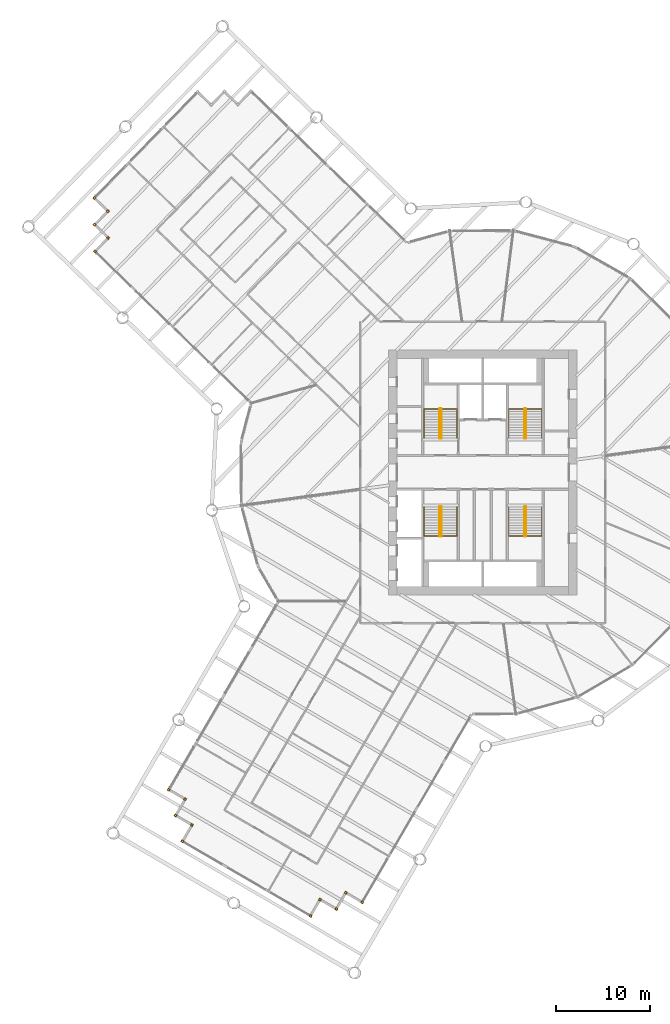
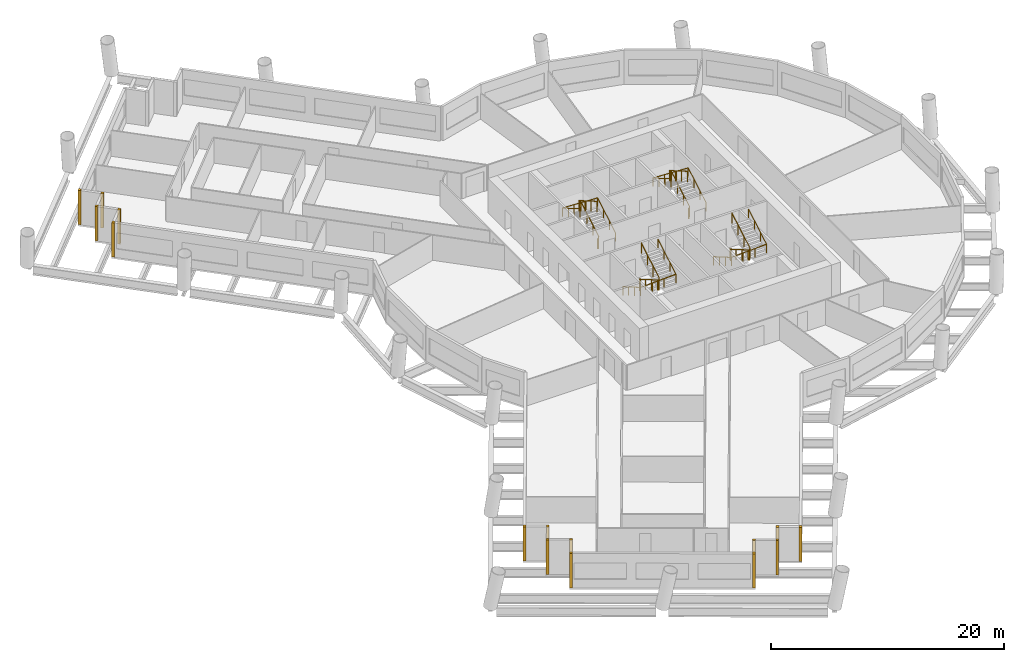
# One storey, part 11 of 12: 15 shading devices, 8 railings.
"""IFC4 building model written with IfcOpenShell, lengths in metres."""

from ifc_helpers import new_model, si_unit, direction, frame, origin, origin_2d, place, context, subcontext, project, spatial, rectangle, circle, extrude, material, type_object, element, save


model = new_model("IFC4")

# Units and contexts
model_context = context("Model", 3, precision=1e-05, world=origin(), true_north=direction((0.0, 1.0)))
body_context = subcontext(model_context, "Body", "Model", "MODEL_VIEW")
ifc_project = project(units=[si_unit("LENGTHUNIT", "METRE"), si_unit("AREAUNIT", "SQUARE_METRE"), si_unit("VOLUMEUNIT", "CUBIC_METRE"), si_unit("PLANEANGLEUNIT", "RADIAN"), si_unit("MASSUNIT", "GRAM", prefix="KILO")], contexts=[model_context])

# Site, building, storey
site_placement = place(None, origin())
site = spatial("IfcSite", under=ifc_project, at=site_placement, CompositionType="ELEMENT")
building_placement = place(site_placement, origin())
building = spatial("IfcBuilding", under=site, at=building_placement, Name="Tarsis Ring Headquarters", CompositionType="ELEMENT")
storey_placement = place(building_placement, frame((0.0, 0.0, 82.89990234375)))
storey = spatial("IfcBuildingStorey", under=building, at=storey_placement, Name="L18", CompositionType="ELEMENT", Elevation=82.89990234375)

# Railings
ifc_material_1 = material(Name="Steel S355", Category="steel")
railing_type_1 = type_object("IfcRailingType", Name="Core stair guard 1100", PredefinedType="GUARDRAIL", material=ifc_material_1)
railing_1_placement = place(storey_placement, frame((-4.5400390625, 3.610107421875, 0.0)))
element("IfcRailing", 1, at=railing_1_placement, inside=storey, type_object=railing_type_1, Name="L18 ST1 stair guard 1", PredefinedType="GUARDRAIL", context=body_context, shape_type="SweptSolid", body=[
    extrude(circle(Radius=0.02392578125, at=origin_2d()), frame((0.0, 0.0, 1.076171875), z_axis=(1.0, 0.0, 0.0), x_axis=(0.0, 1.0, 0.0)), (0.0, 0.0, 1.0), 0.080078125),
    extrude(circle(Radius=0.02392578125, at=origin_2d()), frame((0.080078125, 0.0, 1.076171875), z_axis=(0.282336740067, 0.280959487676, 0.917250092119), x_axis=(-0.705375805398, 0.708833529934, 0.0)), (0.0, 0.0, 1.0), 0.17724609375),
    extrude(circle(Radius=0.02392578125, at=origin_2d()), frame((0.130126953125, 0.0498046875, 1.23876953125), z_axis=(0.0, 0.864890721111, 0.501960198159), x_axis=(-1.0, 0.0, 0.0)), (0.0, 0.0, 1.0), 3.561279296875),
    extrude(circle(Radius=0.02392578125, at=origin_2d()), frame((0.130126953125, 3.1298828125, 3.0263671875), z_axis=(-0.707106781187, 0.707106781187, 0.0), x_axis=(-0.707106781187, -0.707106781187, 0.0)), (0.0, 0.0, 1.0), 0.07080078125),
    extrude(circle(Radius=0.02392578125, at=origin_2d()), frame((0.080078125, 3.179931640625, 3.0263671875), z_axis=(-1.0, 0.0, 0.0), x_axis=(0.0, -1.0, 0.0)), (0.0, 0.0, 1.0), 0.080078125),
    extrude(circle(Radius=0.02392578125, at=origin_2d()), frame((0.0, 3.179931640625, 3.0263671875), z_axis=(-0.282583949758, -0.282583949758, 0.916674763849), x_axis=(0.707106781187, -0.707106781187, 0.0)), (0.0, 0.0, 1.0), 0.177001953125),
    extrude(circle(Radius=0.02392578125, at=origin_2d()), frame((-0.050048828125, 3.1298828125, 3.1884765625), z_axis=(0.0, -0.864890721111, 0.501960198159), x_axis=(1.0, 0.0, 0.0)), (0.0, 0.0, 1.0), 3.561279296875),
    extrude(circle(Radius=0.02099609375, at=origin_2d()), origin(), (0.0, 0.0, 1.0), 1.052001953125),
    extrude(circle(Radius=0.02099609375, at=origin_2d()), frame((0.080078125, 0.0, 0.0)), (0.0, 0.0, 1.0), 1.052001953125),
    extrude(circle(Radius=0.02099609375, at=origin_2d()), frame((0.130126953125, 0.0498046875, 0.16259765625)), (0.0, 0.0, 1.0), 1.052001953125),
    extrude(circle(Radius=0.02099609375, at=origin_2d()), frame((0.130126953125, 1.076416015625, 0.758544921875)), (0.0, 0.0, 1.0), 1.052001953125),
    extrude(circle(Radius=0.02099609375, at=origin_2d()), frame((0.130126953125, 2.103271484375, 1.354248046875)), (0.0, 0.0, 1.0), 1.052001953125),
    extrude(circle(Radius=0.02099609375, at=origin_2d()), frame((0.130126953125, 3.1298828125, 1.9501953125)), (0.0, 0.0, 1.0), 1.052001953125),
    extrude(circle(Radius=0.02099609375, at=origin_2d()), frame((0.080078125, 3.179931640625, 1.9501953125)), (0.0, 0.0, 1.0), 1.052001953125),
    extrude(circle(Radius=0.02099609375, at=origin_2d()), frame((0.0, 3.179931640625, 1.9501953125)), (0.0, 0.0, 1.0), 1.052001953125),
    extrude(circle(Radius=0.02099609375, at=origin_2d()), frame((-0.050048828125, 3.1298828125, 2.112548828125)), (0.0, 0.0, 1.0), 1.052001953125),
    extrude(circle(Radius=0.02099609375, at=origin_2d()), frame((-0.050048828125, 2.103271484375, 2.70849609375)), (0.0, 0.0, 1.0), 1.052001953125),
    extrude(circle(Radius=0.02099609375, at=origin_2d()), frame((-0.050048828125, 1.076416015625, 3.30419921875)), (0.0, 0.0, 1.0), 1.052001953125),
    extrude(circle(Radius=0.02099609375, at=origin_2d()), frame((-0.050048828125, 0.0498046875, 3.900146484375)), (0.0, 0.0, 1.0), 1.052001953125),
])
railing_2_placement = place(storey_placement, frame((4.4599609375, 3.610107421875, 0.0)))
element("IfcRailing", 2, at=railing_2_placement, inside=storey, type_object=railing_type_1, Name="L18 ST2 stair guard 1", PredefinedType="GUARDRAIL", context=body_context, shape_type="SweptSolid", body=[
    extrude(circle(Radius=0.02392578125, at=origin_2d()), frame((0.0, 0.0, 1.076171875), z_axis=(1.0, 0.0, 0.0), x_axis=(0.0, 1.0, 0.0)), (0.0, 0.0, 1.0), 0.080078125),
    extrude(circle(Radius=0.02392578125, at=origin_2d()), frame((0.080078125, 0.0, 1.076171875), z_axis=(0.282336740067, 0.280959487676, 0.917250092119), x_axis=(-0.705375805398, 0.708833529934, 0.0)), (0.0, 0.0, 1.0), 0.17724609375),
    extrude(circle(Radius=0.02392578125, at=origin_2d()), frame((0.130126953125, 0.0498046875, 1.23876953125), z_axis=(0.0, 0.864890721111, 0.501960198159), x_axis=(-1.0, 0.0, 0.0)), (0.0, 0.0, 1.0), 3.561279296875),
    extrude(circle(Radius=0.02392578125, at=origin_2d()), frame((0.130126953125, 3.1298828125, 3.0263671875), z_axis=(-0.707106781187, 0.707106781187, 0.0), x_axis=(-0.707106781187, -0.707106781187, 0.0)), (0.0, 0.0, 1.0), 0.07080078125),
    extrude(circle(Radius=0.02392578125, at=origin_2d()), frame((0.080078125, 3.179931640625, 3.0263671875), z_axis=(-1.0, 0.0, 0.0), x_axis=(0.0, -1.0, 0.0)), (0.0, 0.0, 1.0), 0.080078125),
    extrude(circle(Radius=0.02392578125, at=origin_2d()), frame((0.0, 3.179931640625, 3.0263671875), z_axis=(-0.282583949758, -0.282583949758, 0.916674763849), x_axis=(0.707106781187, -0.707106781187, 0.0)), (0.0, 0.0, 1.0), 0.177001953125),
    extrude(circle(Radius=0.02392578125, at=origin_2d()), frame((-0.050048828125, 3.1298828125, 3.1884765625), z_axis=(0.0, -0.864890721111, 0.501960198159), x_axis=(1.0, 0.0, 0.0)), (0.0, 0.0, 1.0), 3.561279296875),
    extrude(circle(Radius=0.02099609375, at=origin_2d()), origin(), (0.0, 0.0, 1.0), 1.052001953125),
    extrude(circle(Radius=0.02099609375, at=origin_2d()), frame((0.080078125, 0.0, 0.0)), (0.0, 0.0, 1.0), 1.052001953125),
    extrude(circle(Radius=0.02099609375, at=origin_2d()), frame((0.130126953125, 0.0498046875, 0.16259765625)), (0.0, 0.0, 1.0), 1.052001953125),
    extrude(circle(Radius=0.02099609375, at=origin_2d()), frame((0.130126953125, 1.076416015625, 0.758544921875)), (0.0, 0.0, 1.0), 1.052001953125),
    extrude(circle(Radius=0.02099609375, at=origin_2d()), frame((0.130126953125, 2.103271484375, 1.354248046875)), (0.0, 0.0, 1.0), 1.052001953125),
    extrude(circle(Radius=0.02099609375, at=origin_2d()), frame((0.130126953125, 3.1298828125, 1.9501953125)), (0.0, 0.0, 1.0), 1.052001953125),
    extrude(circle(Radius=0.02099609375, at=origin_2d()), frame((0.080078125, 3.179931640625, 1.9501953125)), (0.0, 0.0, 1.0), 1.052001953125),
    extrude(circle(Radius=0.02099609375, at=origin_2d()), frame((0.0, 3.179931640625, 1.9501953125)), (0.0, 0.0, 1.0), 1.052001953125),
    extrude(circle(Radius=0.02099609375, at=origin_2d()), frame((-0.050048828125, 3.1298828125, 2.112548828125)), (0.0, 0.0, 1.0), 1.052001953125),
    extrude(circle(Radius=0.02099609375, at=origin_2d()), frame((-0.050048828125, 2.103271484375, 2.70849609375)), (0.0, 0.0, 1.0), 1.052001953125),
    extrude(circle(Radius=0.02099609375, at=origin_2d()), frame((-0.050048828125, 1.076416015625, 3.30419921875)), (0.0, 0.0, 1.0), 1.052001953125),
    extrude(circle(Radius=0.02099609375, at=origin_2d()), frame((-0.050048828125, 0.0498046875, 3.900146484375)), (0.0, 0.0, 1.0), 1.052001953125),
])
railing_3_placement = place(storey_placement, frame((-4.4599609375, -3.610107421875, 0.0)))
element("IfcRailing", 3, at=railing_3_placement, inside=storey, type_object=railing_type_1, Name="L18 ST3 stair guard 1", PredefinedType="GUARDRAIL", context=body_context, shape_type="SweptSolid", body=[
    extrude(circle(Radius=0.02392578125, at=origin_2d()), frame((0.0, 0.0, 1.076171875), z_axis=(-1.0, 0.0, 0.0), x_axis=(0.0, -1.0, 0.0)), (0.0, 0.0, 1.0), 0.080078125),
    extrude(circle(Radius=0.02392578125, at=origin_2d()), frame((-0.080078125, 0.0, 1.076171875), z_axis=(-0.282336740067, -0.280959487676, 0.917250092119), x_axis=(0.705375805398, -0.708833529934, 0.0)), (0.0, 0.0, 1.0), 0.17724609375),
    extrude(circle(Radius=0.02392578125, at=origin_2d()), frame((-0.130126953125, -0.0498046875, 1.23876953125), z_axis=(0.0, -0.864890721111, 0.501960198159), x_axis=(1.0, 0.0, 0.0)), (0.0, 0.0, 1.0), 3.561279296875),
    extrude(circle(Radius=0.02392578125, at=origin_2d()), frame((-0.130126953125, -3.1298828125, 3.0263671875), z_axis=(0.707106781187, -0.707106781187, 0.0), x_axis=(0.707106781187, 0.707106781187, 0.0)), (0.0, 0.0, 1.0), 0.07080078125),
    extrude(circle(Radius=0.02392578125, at=origin_2d()), frame((-0.080078125, -3.179931640625, 3.0263671875), z_axis=(1.0, 0.0, 0.0), x_axis=(0.0, 1.0, 0.0)), (0.0, 0.0, 1.0), 0.080078125),
    extrude(circle(Radius=0.02392578125, at=origin_2d()), frame((0.0, -3.179931640625, 3.0263671875), z_axis=(0.282583949758, 0.282583949758, 0.916674763849), x_axis=(-0.707106781187, 0.707106781187, 0.0)), (0.0, 0.0, 1.0), 0.177001953125),
    extrude(circle(Radius=0.02392578125, at=origin_2d()), frame((0.050048828125, -3.1298828125, 3.1884765625), z_axis=(0.0, 0.864890721111, 0.501960198159), x_axis=(-1.0, 0.0, 0.0)), (0.0, 0.0, 1.0), 3.561279296875),
    extrude(circle(Radius=0.02099609375, at=origin_2d()), origin(), (0.0, 0.0, 1.0), 1.052001953125),
    extrude(circle(Radius=0.02099609375, at=origin_2d()), frame((-0.080078125, 0.0, 0.0)), (0.0, 0.0, 1.0), 1.052001953125),
    extrude(circle(Radius=0.02099609375, at=origin_2d()), frame((-0.130126953125, -0.0498046875, 0.16259765625)), (0.0, 0.0, 1.0), 1.052001953125),
    extrude(circle(Radius=0.02099609375, at=origin_2d()), frame((-0.130126953125, -1.076416015625, 0.758544921875)), (0.0, 0.0, 1.0), 1.052001953125),
    extrude(circle(Radius=0.02099609375, at=origin_2d()), frame((-0.130126953125, -2.103271484375, 1.354248046875)), (0.0, 0.0, 1.0), 1.052001953125),
    extrude(circle(Radius=0.02099609375, at=origin_2d()), frame((-0.130126953125, -3.1298828125, 1.9501953125)), (0.0, 0.0, 1.0), 1.052001953125),
    extrude(circle(Radius=0.02099609375, at=origin_2d()), frame((-0.080078125, -3.179931640625, 1.9501953125)), (0.0, 0.0, 1.0), 1.052001953125),
    extrude(circle(Radius=0.02099609375, at=origin_2d()), frame((0.0, -3.179931640625, 1.9501953125)), (0.0, 0.0, 1.0), 1.052001953125),
    extrude(circle(Radius=0.02099609375, at=origin_2d()), frame((0.050048828125, -3.1298828125, 2.112548828125)), (0.0, 0.0, 1.0), 1.052001953125),
    extrude(circle(Radius=0.02099609375, at=origin_2d()), frame((0.050048828125, -2.103271484375, 2.70849609375)), (0.0, 0.0, 1.0), 1.052001953125),
    extrude(circle(Radius=0.02099609375, at=origin_2d()), frame((0.050048828125, -1.076416015625, 3.30419921875)), (0.0, 0.0, 1.0), 1.052001953125),
    extrude(circle(Radius=0.02099609375, at=origin_2d()), frame((0.050048828125, -0.0498046875, 3.900146484375)), (0.0, 0.0, 1.0), 1.052001953125),
])
railing_4_placement = place(storey_placement, frame((4.5400390625, -3.610107421875, 0.0)))
element("IfcRailing", 4, at=railing_4_placement, inside=storey, type_object=railing_type_1, Name="L18 ST4 stair guard 1", PredefinedType="GUARDRAIL", context=body_context, shape_type="SweptSolid", body=[
    extrude(circle(Radius=0.02392578125, at=origin_2d()), frame((0.0, 0.0, 1.076171875), z_axis=(-1.0, 0.0, 0.0), x_axis=(0.0, -1.0, 0.0)), (0.0, 0.0, 1.0), 0.080078125),
    extrude(circle(Radius=0.02392578125, at=origin_2d()), frame((-0.080078125, 0.0, 1.076171875), z_axis=(-0.282336740067, -0.280959487676, 0.917250092119), x_axis=(0.705375805398, -0.708833529934, 0.0)), (0.0, 0.0, 1.0), 0.17724609375),
    extrude(circle(Radius=0.02392578125, at=origin_2d()), frame((-0.130126953125, -0.0498046875, 1.23876953125), z_axis=(0.0, -0.864890721111, 0.501960198159), x_axis=(1.0, 0.0, 0.0)), (0.0, 0.0, 1.0), 3.561279296875),
    extrude(circle(Radius=0.02392578125, at=origin_2d()), frame((-0.130126953125, -3.1298828125, 3.0263671875), z_axis=(0.707106781187, -0.707106781187, 0.0), x_axis=(0.707106781187, 0.707106781187, 0.0)), (0.0, 0.0, 1.0), 0.07080078125),
    extrude(circle(Radius=0.02392578125, at=origin_2d()), frame((-0.080078125, -3.179931640625, 3.0263671875), z_axis=(1.0, 0.0, 0.0), x_axis=(0.0, 1.0, 0.0)), (0.0, 0.0, 1.0), 0.080078125),
    extrude(circle(Radius=0.02392578125, at=origin_2d()), frame((0.0, -3.179931640625, 3.0263671875), z_axis=(0.282583949758, 0.282583949758, 0.916674763849), x_axis=(-0.707106781187, 0.707106781187, 0.0)), (0.0, 0.0, 1.0), 0.177001953125),
    extrude(circle(Radius=0.02392578125, at=origin_2d()), frame((0.050048828125, -3.1298828125, 3.1884765625), z_axis=(0.0, 0.864890721111, 0.501960198159), x_axis=(-1.0, 0.0, 0.0)), (0.0, 0.0, 1.0), 3.561279296875),
    extrude(circle(Radius=0.02099609375, at=origin_2d()), origin(), (0.0, 0.0, 1.0), 1.052001953125),
    extrude(circle(Radius=0.02099609375, at=origin_2d()), frame((-0.080078125, 0.0, 0.0)), (0.0, 0.0, 1.0), 1.052001953125),
    extrude(circle(Radius=0.02099609375, at=origin_2d()), frame((-0.130126953125, -0.0498046875, 0.16259765625)), (0.0, 0.0, 1.0), 1.052001953125),
    extrude(circle(Radius=0.02099609375, at=origin_2d()), frame((-0.130126953125, -1.076416015625, 0.758544921875)), (0.0, 0.0, 1.0), 1.052001953125),
    extrude(circle(Radius=0.02099609375, at=origin_2d()), frame((-0.130126953125, -2.103271484375, 1.354248046875)), (0.0, 0.0, 1.0), 1.052001953125),
    extrude(circle(Radius=0.02099609375, at=origin_2d()), frame((-0.130126953125, -3.1298828125, 1.9501953125)), (0.0, 0.0, 1.0), 1.052001953125),
    extrude(circle(Radius=0.02099609375, at=origin_2d()), frame((-0.080078125, -3.179931640625, 1.9501953125)), (0.0, 0.0, 1.0), 1.052001953125),
    extrude(circle(Radius=0.02099609375, at=origin_2d()), frame((0.0, -3.179931640625, 1.9501953125)), (0.0, 0.0, 1.0), 1.052001953125),
    extrude(circle(Radius=0.02099609375, at=origin_2d()), frame((0.050048828125, -3.1298828125, 2.112548828125)), (0.0, 0.0, 1.0), 1.052001953125),
    extrude(circle(Radius=0.02099609375, at=origin_2d()), frame((0.050048828125, -2.103271484375, 2.70849609375)), (0.0, 0.0, 1.0), 1.052001953125),
    extrude(circle(Radius=0.02099609375, at=origin_2d()), frame((0.050048828125, -1.076416015625, 3.30419921875)), (0.0, 0.0, 1.0), 1.052001953125),
    extrude(circle(Radius=0.02099609375, at=origin_2d()), frame((0.050048828125, -0.0498046875, 3.900146484375)), (0.0, 0.0, 1.0), 1.052001953125),
])
railing_type_2 = type_object("IfcRailingType", Name="Core stair handrail 900", PredefinedType="HANDRAIL", material=ifc_material_1)
railing_5_placement = place(storey_placement, frame((-2.75, 3.659912109375, 0.16259765625)))
element("IfcRailing", 5, at=railing_5_placement, inside=storey, type_object=railing_type_2, Name="L18 ST1 stair handrail 1", PredefinedType="HANDRAIL", context=body_context, shape_type="SweptSolid", body=[
    extrude(circle(Radius=0.02392578125, at=origin_2d()), frame((0.0, 0.0, 0.8759765625), z_axis=(0.0, 0.864890721111, 0.501960198159), x_axis=(-1.0, 0.0, 0.0)), (0.0, 0.0, 1.0), 3.561279296875),
    extrude(circle(Radius=0.02392578125, at=origin_2d()), frame((0.0, 3.080078125, 2.66357421875), z_axis=(-0.998925869279, 0.0, 0.04633689335), x_axis=(0.0, -1.0, 0.0)), (0.0, 0.0, 1.0), 3.503662109375),
    extrude(circle(Radius=0.02392578125, at=origin_2d()), frame((-3.5, 3.080078125, 2.82568359375), z_axis=(0.0, -0.864890721111, 0.501960198159), x_axis=(1.0, 0.0, 0.0)), (0.0, 0.0, 1.0), 3.561279296875),
    extrude(circle(Radius=0.02099609375, at=origin_2d()), origin(), (0.0, 0.0, 1.0), 0.851806640625),
    extrude(circle(Radius=0.02099609375, at=origin_2d()), frame((0.0, 1.026611328125, 0.595947265625)), (0.0, 0.0, 1.0), 0.851806640625),
    extrude(circle(Radius=0.02099609375, at=origin_2d()), frame((0.0, 2.053466796875, 1.191650390625)), (0.0, 0.0, 1.0), 0.851806640625),
    extrude(circle(Radius=0.02099609375, at=origin_2d()), frame((0.0, 3.080078125, 1.78759765625)), (0.0, 0.0, 1.0), 0.851806640625),
    extrude(circle(Radius=0.02099609375, at=origin_2d()), frame((-1.166748046875, 3.080078125, 1.841796875)), (0.0, 0.0, 1.0), 0.851806640625),
    extrude(circle(Radius=0.02099609375, at=origin_2d()), frame((-2.333251953125, 3.080078125, 1.895751953125)), (0.0, 0.0, 1.0), 0.851806640625),
    extrude(circle(Radius=0.02099609375, at=origin_2d()), frame((-3.5, 3.080078125, 1.949951171875)), (0.0, 0.0, 1.0), 0.851806640625),
    extrude(circle(Radius=0.02099609375, at=origin_2d()), frame((-3.5, 2.053466796875, 2.5458984375)), (0.0, 0.0, 1.0), 0.851806640625),
    extrude(circle(Radius=0.02099609375, at=origin_2d()), frame((-3.5, 1.026611328125, 3.1416015625)), (0.0, 0.0, 1.0), 0.851806640625),
    extrude(circle(Radius=0.02099609375, at=origin_2d()), frame((-3.5, 0.0, 3.737548828125)), (0.0, 0.0, 1.0), 0.851806640625),
])
railing_6_placement = place(storey_placement, frame((6.25, 3.659912109375, 0.16259765625)))
element("IfcRailing", 6, at=railing_6_placement, inside=storey, type_object=railing_type_2, Name="L18 ST2 stair handrail 1", PredefinedType="HANDRAIL", context=body_context, shape_type="SweptSolid", body=[
    extrude(circle(Radius=0.02392578125, at=origin_2d()), frame((0.0, 0.0, 0.8759765625), z_axis=(0.0, 0.864890721111, 0.501960198159), x_axis=(-1.0, 0.0, 0.0)), (0.0, 0.0, 1.0), 3.561279296875),
    extrude(circle(Radius=0.02392578125, at=origin_2d()), frame((0.0, 3.080078125, 2.66357421875), z_axis=(-0.998925869279, 0.0, 0.04633689335), x_axis=(0.0, -1.0, 0.0)), (0.0, 0.0, 1.0), 3.503662109375),
    extrude(circle(Radius=0.02392578125, at=origin_2d()), frame((-3.5, 3.080078125, 2.82568359375), z_axis=(0.0, -0.864890721111, 0.501960198159), x_axis=(1.0, 0.0, 0.0)), (0.0, 0.0, 1.0), 3.561279296875),
    extrude(circle(Radius=0.02099609375, at=origin_2d()), origin(), (0.0, 0.0, 1.0), 0.851806640625),
    extrude(circle(Radius=0.02099609375, at=origin_2d()), frame((0.0, 1.026611328125, 0.595947265625)), (0.0, 0.0, 1.0), 0.851806640625),
    extrude(circle(Radius=0.02099609375, at=origin_2d()), frame((0.0, 2.053466796875, 1.191650390625)), (0.0, 0.0, 1.0), 0.851806640625),
    extrude(circle(Radius=0.02099609375, at=origin_2d()), frame((0.0, 3.080078125, 1.78759765625)), (0.0, 0.0, 1.0), 0.851806640625),
    extrude(circle(Radius=0.02099609375, at=origin_2d()), frame((-1.166748046875, 3.080078125, 1.841796875)), (0.0, 0.0, 1.0), 0.851806640625),
    extrude(circle(Radius=0.02099609375, at=origin_2d()), frame((-2.333251953125, 3.080078125, 1.895751953125)), (0.0, 0.0, 1.0), 0.851806640625),
    extrude(circle(Radius=0.02099609375, at=origin_2d()), frame((-3.5, 3.080078125, 1.949951171875)), (0.0, 0.0, 1.0), 0.851806640625),
    extrude(circle(Radius=0.02099609375, at=origin_2d()), frame((-3.5, 2.053466796875, 2.5458984375)), (0.0, 0.0, 1.0), 0.851806640625),
    extrude(circle(Radius=0.02099609375, at=origin_2d()), frame((-3.5, 1.026611328125, 3.1416015625)), (0.0, 0.0, 1.0), 0.851806640625),
    extrude(circle(Radius=0.02099609375, at=origin_2d()), frame((-3.5, 0.0, 3.737548828125)), (0.0, 0.0, 1.0), 0.851806640625),
])
railing_7_placement = place(storey_placement, frame((-6.25, -3.659912109375, 0.16259765625)))
element("IfcRailing", 7, at=railing_7_placement, inside=storey, type_object=railing_type_2, Name="L18 ST3 stair handrail 1", PredefinedType="HANDRAIL", context=body_context, shape_type="SweptSolid", body=[
    extrude(circle(Radius=0.02392578125, at=origin_2d()), frame((0.0, 0.0, 0.8759765625), z_axis=(0.0, -0.864890721111, 0.501960198159), x_axis=(1.0, 0.0, 0.0)), (0.0, 0.0, 1.0), 3.561279296875),
    extrude(circle(Radius=0.02392578125, at=origin_2d()), frame((0.0, -3.080078125, 2.66357421875), z_axis=(0.998925869279, 0.0, 0.04633689335), x_axis=(0.0, 1.0, 0.0)), (0.0, 0.0, 1.0), 3.503662109375),
    extrude(circle(Radius=0.02392578125, at=origin_2d()), frame((3.5, -3.080078125, 2.82568359375), z_axis=(0.0, 0.864890721111, 0.501960198159), x_axis=(-1.0, 0.0, 0.0)), (0.0, 0.0, 1.0), 3.561279296875),
    extrude(circle(Radius=0.02099609375, at=origin_2d()), origin(), (0.0, 0.0, 1.0), 0.851806640625),
    extrude(circle(Radius=0.02099609375, at=origin_2d()), frame((0.0, -1.026611328125, 0.595947265625)), (0.0, 0.0, 1.0), 0.851806640625),
    extrude(circle(Radius=0.02099609375, at=origin_2d()), frame((0.0, -2.053466796875, 1.191650390625)), (0.0, 0.0, 1.0), 0.851806640625),
    extrude(circle(Radius=0.02099609375, at=origin_2d()), frame((0.0, -3.080078125, 1.78759765625)), (0.0, 0.0, 1.0), 0.851806640625),
    extrude(circle(Radius=0.02099609375, at=origin_2d()), frame((1.166748046875, -3.080078125, 1.841796875)), (0.0, 0.0, 1.0), 0.851806640625),
    extrude(circle(Radius=0.02099609375, at=origin_2d()), frame((2.333251953125, -3.080078125, 1.895751953125)), (0.0, 0.0, 1.0), 0.851806640625),
    extrude(circle(Radius=0.02099609375, at=origin_2d()), frame((3.5, -3.080078125, 1.949951171875)), (0.0, 0.0, 1.0), 0.851806640625),
    extrude(circle(Radius=0.02099609375, at=origin_2d()), frame((3.5, -2.053466796875, 2.5458984375)), (0.0, 0.0, 1.0), 0.851806640625),
    extrude(circle(Radius=0.02099609375, at=origin_2d()), frame((3.5, -1.026611328125, 3.1416015625)), (0.0, 0.0, 1.0), 0.851806640625),
    extrude(circle(Radius=0.02099609375, at=origin_2d()), frame((3.5, 0.0, 3.737548828125)), (0.0, 0.0, 1.0), 0.851806640625),
])
railing_8_placement = place(storey_placement, frame((2.75, -3.659912109375, 0.16259765625)))
element("IfcRailing", 8, at=railing_8_placement, inside=storey, type_object=railing_type_2, Name="L18 ST4 stair handrail 1", PredefinedType="HANDRAIL", context=body_context, shape_type="SweptSolid", body=[
    extrude(circle(Radius=0.02392578125, at=origin_2d()), frame((0.0, 0.0, 0.8759765625), z_axis=(0.0, -0.864890721111, 0.501960198159), x_axis=(1.0, 0.0, 0.0)), (0.0, 0.0, 1.0), 3.561279296875),
    extrude(circle(Radius=0.02392578125, at=origin_2d()), frame((0.0, -3.080078125, 2.66357421875), z_axis=(0.998925869279, 0.0, 0.04633689335), x_axis=(0.0, 1.0, 0.0)), (0.0, 0.0, 1.0), 3.503662109375),
    extrude(circle(Radius=0.02392578125, at=origin_2d()), frame((3.5, -3.080078125, 2.82568359375), z_axis=(0.0, 0.864890721111, 0.501960198159), x_axis=(-1.0, 0.0, 0.0)), (0.0, 0.0, 1.0), 3.561279296875),
    extrude(circle(Radius=0.02099609375, at=origin_2d()), origin(), (0.0, 0.0, 1.0), 0.851806640625),
    extrude(circle(Radius=0.02099609375, at=origin_2d()), frame((0.0, -1.026611328125, 0.595947265625)), (0.0, 0.0, 1.0), 0.851806640625),
    extrude(circle(Radius=0.02099609375, at=origin_2d()), frame((0.0, -2.053466796875, 1.191650390625)), (0.0, 0.0, 1.0), 0.851806640625),
    extrude(circle(Radius=0.02099609375, at=origin_2d()), frame((0.0, -3.080078125, 1.78759765625)), (0.0, 0.0, 1.0), 0.851806640625),
    extrude(circle(Radius=0.02099609375, at=origin_2d()), frame((1.166748046875, -3.080078125, 1.841796875)), (0.0, 0.0, 1.0), 0.851806640625),
    extrude(circle(Radius=0.02099609375, at=origin_2d()), frame((2.333251953125, -3.080078125, 1.895751953125)), (0.0, 0.0, 1.0), 0.851806640625),
    extrude(circle(Radius=0.02099609375, at=origin_2d()), frame((3.5, -3.080078125, 1.949951171875)), (0.0, 0.0, 1.0), 0.851806640625),
    extrude(circle(Radius=0.02099609375, at=origin_2d()), frame((3.5, -2.053466796875, 2.5458984375)), (0.0, 0.0, 1.0), 0.851806640625),
    extrude(circle(Radius=0.02099609375, at=origin_2d()), frame((3.5, -1.026611328125, 3.1416015625)), (0.0, 0.0, 1.0), 0.851806640625),
    extrude(circle(Radius=0.02099609375, at=origin_2d()), frame((3.5, 0.0, 3.737548828125)), (0.0, 0.0, 1.0), 0.851806640625),
])

# Shading devices
ifc_material_2 = material(Name="Terracotta baguette", Category="masonry")
shading_device_type = type_object("IfcShadingDeviceType", Name="Terracotta corner baguette 250x250", PredefinedType="USERDEFINED", material=ifc_material_2)
for number, where, z_axis, x_axis, name in (
    (9, (-41.1669921875, 23.46923828125, 0.0), (0.0, 0.0, 1.0), (-0.697164852606, -0.716910851007, 0.0), "Corner baguette L18-01"),
    (10, (-33.33935546875, -33.67529296875, 0.0), (0.0, 0.0, 1.0), (-0.503019931546, -0.864274810733, 0.0), "Corner baguette L18-07"),
    (11, (-31.61083984375, -34.681396484375, 0.0), (0.0, 0.0, 1.0), (0.864275047776, -0.503019524266, 0.0), "Corner baguette L18-08"),
    (12, (-32.61669921875, -36.409912109375, 0.0), (0.0, 0.0, 1.0), (-0.503019901377, -0.864274828292, 0.0), "Corner baguette L18-09"),
    (13, (-30.88818359375, -37.415771484375, 0.0), (0.0, 0.0, 1.0), (0.864274705381, -0.503020112559, 0.0), "Corner baguette L18-10"),
    (14, (-31.894287109375, -39.14453125, 0.0), (0.0, 0.0, 1.0), (-0.503019901377, -0.864274828292, 0.0), "Corner baguette L18-11"),
    (15, (-18.281982421875, -47.06689453125, 0.0), (0.0, 0.0, 1.0), (0.864274837071, -0.503019886292, 0.0), "Corner baguette L18-12"),
    (16, (-17.27587890625, -45.33837890625, 0.0), (0.0, 0.0, 1.0), (0.503020112559, 0.864274705381, 0.0), "Corner baguette L18-13"),
    (17, (-15.54736328125, -46.344482421875, 0.0), (0.0, 0.0, 1.0), (0.864274828292, -0.503019901377, 0.0), "Corner baguette L18-14"),
    (18, (-14.541259765625, -44.615966796875, 0.0), (0.0, 0.0, 1.0), (0.503019901377, 0.864274828292, 0.0), "Corner baguette L18-15"),
    (19, (-12.812744140625, -45.6220703125, 0.0), (0.0, 0.0, 1.0), (0.864274705381, -0.503020112559, 0.0), "Corner baguette L18-16"),
    (20, (-41.24609375, 29.12548828125, 0.0), (0.0, 0.0, 1.0), (-0.697165102855, -0.71691060765, 0.0), "Corner baguette L18-37"),
    (21, (-39.812255859375, 27.731201171875, 0.0), (0.0, 0.0, 1.0), (0.71691060765, -0.697165102855, 0.0), "Corner baguette L18-38"),
    (22, (-41.20654296875, 26.29736328125, 0.0), (0.0, 0.0, 1.0), (-0.697164852606, -0.716910851007, 0.0), "Corner baguette L18-39"),
    (23, (-39.772705078125, 24.903076171875, 0.0), (0.0, 0.0, 1.0), (0.716910851007, -0.697164852606, 0.0), "Corner baguette L18-40"),
):
    element("IfcShadingDevice", number, at=place(storey_placement, frame(where, z_axis=z_axis, x_axis=x_axis)), inside=storey, type_object=shading_device_type, Name=name, ObjectType="Terracotta corner baguette", PredefinedType="USERDEFINED", context=body_context, shape_type="SweptSolid", body=[
        extrude(rectangle(XDim=0.25, YDim=0.25, at=origin_2d()), origin(), (0.0, 0.0, 1.0), 3.60009765625),
    ])

save(model, "model.ifc")
